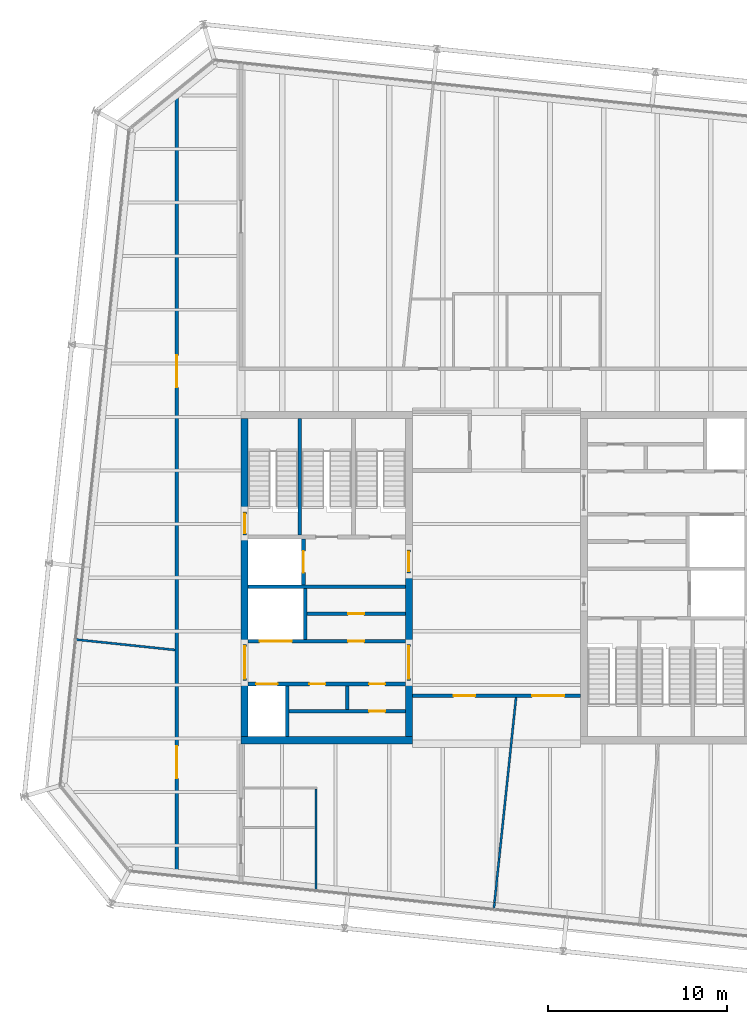
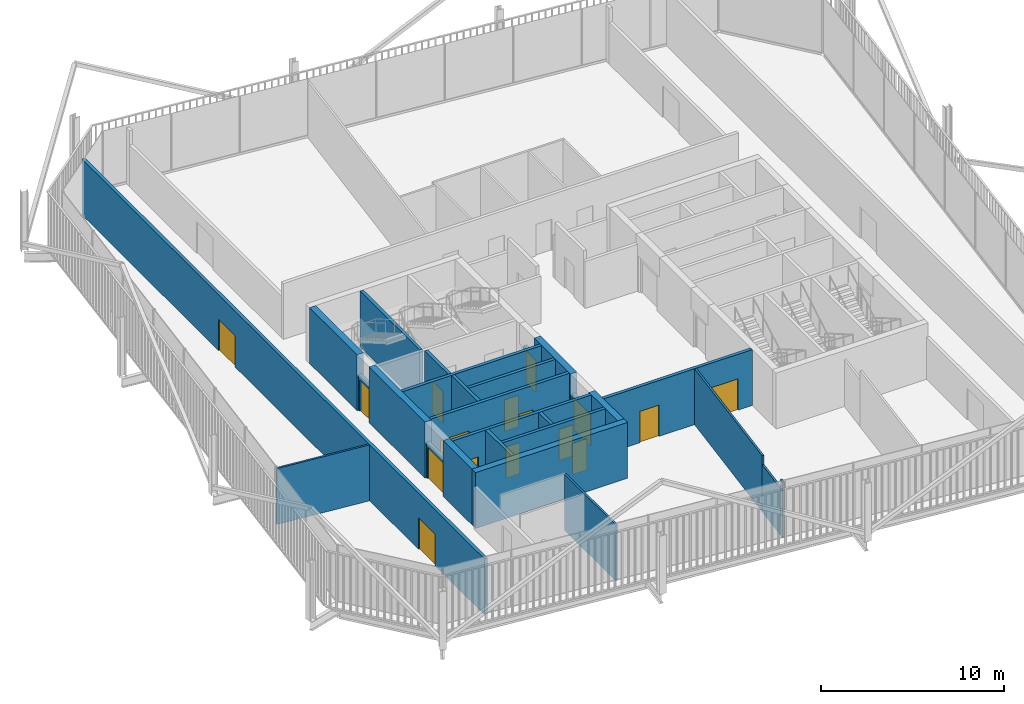
# One storey, part 17 of 21: 27 walls, 16 doors, 16 openings.
"""IFC4 building model written with IfcOpenShell, lengths in metres."""

from ifc_helpers import new_model, si_unit, direction, frame, frame_2d, origin, place, context, subcontext, project, spatial, rectangle, extrude, material, layer, layer_set, type_object, element, fill, save


model = new_model("IFC4")

# Units and contexts
model_context = context("Model", 3, precision=1e-05, world=origin(), true_north=direction((0.0, 1.0)))
body_context = subcontext(model_context, "Body", "Model", "MODEL_VIEW")
ifc_project = project(units=[si_unit("LENGTHUNIT", "METRE"), si_unit("AREAUNIT", "SQUARE_METRE"), si_unit("VOLUMEUNIT", "CUBIC_METRE"), si_unit("PLANEANGLEUNIT", "RADIAN"), si_unit("MASSUNIT", "GRAM", prefix="KILO")], contexts=[model_context])

# Site, building, storey
site_placement = place(None, origin())
site = spatial("IfcSite", under=ifc_project, at=site_placement, CompositionType="ELEMENT")
building_placement = place(site_placement, origin())
building = spatial("IfcBuilding", under=site, at=building_placement, Name="Millrace Tower", CompositionType="ELEMENT")
storey_placement = place(building_placement, frame((0.0, 0.0, 318.699951171875)))
storey = spatial("IfcBuildingStorey", under=building, at=storey_placement, Name="L73", CompositionType="ELEMENT", Elevation=318.699951171875)

# Walls
ifc_material_1 = material(Name="Concrete C60", Category="concrete")
ifc_layer_1 = layer(ifc_material_1, 0.39990234375)
ifc_layer_set_1 = layer_set([ifc_layer_1], Name="Concrete C60")
wall_type_1 = type_object("IfcWallType", Name="Core wall 400 Concrete C60", PredefinedType="SHEAR", material=ifc_layer_set_1)
wall_1_placement = place(storey_placement, frame((-14.300048828125, -9.10009765625, 0.0), z_axis=(0.0, 0.0, 1.0), x_axis=(1.0, 0.0, 0.0)))
element("IfcWall", 1, at=wall_1_placement, inside=storey, type_object=wall_type_1, Name="Core wall W L73", PredefinedType="SHEAR", context=body_context, shape_type="SweptSolid", body=[
    extrude(rectangle(XDim=9.60009765625, YDim=0.39990234375, at=frame_2d((4.800048828125, 0.0))), origin(), (0.0, 0.0, 1.0), 3.739990234375),
])
wall_2_placement = place(storey_placement, frame((-14.10009765625, -8.89990234375, 0.0), z_axis=(0.0, 0.0, 1.0), x_axis=(0.0, 1.0, 0.0)))
element("IfcWall", 2, at=wall_2_placement, inside=storey, type_object=wall_type_1, Name="Core wall W L73", PredefinedType="SHEAR", context=body_context, shape_type="SweptSolid", body=[
    extrude(rectangle(XDim=3.14990234375, YDim=0.39990234375, at=frame_2d((1.574951171875, 0.0))), origin(), (0.0, 0.0, 1.0), 3.739990234375),
])
wall_3_placement = place(storey_placement, frame((-14.10009765625, -3.75, 0.0), z_axis=(0.0, 0.0, 1.0), x_axis=(0.0, 1.0, 0.0)))
element("IfcWall", 3, at=wall_3_placement, inside=storey, type_object=wall_type_1, Name="Core wall W L73", PredefinedType="SHEAR", context=body_context, shape_type="SweptSolid", body=[
    extrude(rectangle(XDim=6.1298828125, YDim=0.39990234375, at=frame_2d((3.06494140625, 0.0))), origin(), (0.0, 0.0, 1.0), 3.739990234375),
])
wall_4_placement = place(storey_placement, frame((-14.10009765625, 3.679931640625, 0.0), z_axis=(0.0, 0.0, 1.0), x_axis=(0.0, 1.0, 0.0)))
element("IfcWall", 4, at=wall_4_placement, inside=storey, type_object=wall_type_1, Name="Core wall W L73", PredefinedType="SHEAR", context=body_context, shape_type="SweptSolid", body=[
    extrude(rectangle(XDim=5.219970703125, YDim=0.39990234375, at=frame_2d((2.60986328125, 0.0))), origin(), (0.0, 0.0, 1.0), 3.739990234375),
])
wall_5_placement = place(storey_placement, frame((-4.89990234375, -8.89990234375, 0.0), z_axis=(0.0, 0.0, 1.0), x_axis=(0.0, 1.0, 0.0)))
element("IfcWall", 5, at=wall_5_placement, inside=storey, type_object=wall_type_1, Name="Core wall W L73", PredefinedType="SHEAR", context=body_context, shape_type="SweptSolid", body=[
    extrude(rectangle(XDim=3.14990234375, YDim=0.39990234375, at=frame_2d((1.574951171875, 0.0))), origin(), (0.0, 0.0, 1.0), 3.739990234375),
])
wall_6_placement = place(storey_placement, frame((-4.89990234375, -3.75, 0.0), z_axis=(0.0, 0.0, 1.0), x_axis=(0.0, 1.0, 0.0)))
element("IfcWall", 6, at=wall_6_placement, inside=storey, type_object=wall_type_1, Name="Core wall W L73", PredefinedType="SHEAR", context=body_context, shape_type="SweptSolid", body=[
    extrude(rectangle(XDim=4.0, YDim=0.39990234375, at=frame_2d((2.0, 0.0))), origin(), (0.0, 0.0, 1.0), 3.739990234375),
])

# Wall, openings, doors
ifc_material_2 = material(Name="Masonry partition, fire-rated", Category="masonry")
ifc_layer_2 = layer(ifc_material_2, 0.199951171875)
ifc_layer_set_2 = layer_set([ifc_layer_2], Name="Masonry partition, fire-rated")
wall_type_2 = type_object("IfcWallType", Name="Corridor wall 200", PredefinedType="PARTITIONING", material=ifc_layer_set_2)
wall_7_placement = place(storey_placement, frame((-4.699951171875, -6.60009765625, 0.0), z_axis=(0.0, 0.0, 1.0), x_axis=(1.0, 0.0, 0.0)))
wall_7 = element("IfcWall", 7, at=wall_7_placement, inside=storey, type_object=wall_type_2, Name="Corridor wall L73", PredefinedType="PARTITIONING", context=body_context, shape_type="SweptSolid", body=[
    extrude(rectangle(XDim=9.39990234375, YDim=0.199951171875, at=frame_2d((4.699951171875, 0.0))), origin(), (0.0, 0.0, 1.0), 3.739990234375),
])
opening_1_placement = place(wall_7_placement, frame((2.304931640625, 0.0, 0.0)))
opening_1 = element("IfcOpeningElement", 8, at=opening_1_placement, cuts=wall_7, Name="Opening 73-P011", PredefinedType="OPENING", context=body_context, shape_type="SweptSolid", body=[
    extrude(rectangle(XDim=1.199951171875, YDim=2.10009765625, at=frame_2d((0.60009765625, 1.050048828125))), frame((0.0, 0.10986328125, 0.0), z_axis=(0.0, -1.0, 0.0), x_axis=(1.0, 0.0, 0.0)), (0.0, 0.0, 1.0), 0.219970703125),
])
opening_2_placement = place(wall_7_placement, frame((6.705078125, 0.0, 0.0)))
opening_2 = element("IfcOpeningElement", 9, at=opening_2_placement, cuts=wall_7, Name="Opening 73-P012", PredefinedType="OPENING", context=body_context, shape_type="SweptSolid", body=[
    extrude(rectangle(XDim=1.800048828125, YDim=2.10009765625, at=frame_2d((0.89990234375, 1.050048828125))), frame((0.0, 0.10986328125, 0.0), z_axis=(0.0, -1.0, 0.0), x_axis=(1.0, 0.0, 0.0)), (0.0, 0.0, 1.0), 0.219970703125),
])
ifc_material_3 = material(Name="Steel door set, fire-rated", Category="steel")
door_type_1 = type_object("IfcDoorType", Name="Corridor door 1200 x 2100", OperationType="SINGLE_SWING_LEFT", PredefinedType="DOOR", material=ifc_material_3)
door_1_placement = place(opening_1_placement, frame((1.199951171875, 0.0, 0.0), z_axis=(0.0, 0.0, 1.0), x_axis=(-1.0, 0.0, 0.0)))
door_1 = element("IfcDoor", 10, at=door_1_placement, inside=storey, type_object=door_type_1, Name="Door 73-P011", OperationType="SINGLE_SWING_RIGHT", OverallHeight=2.10009765625, OverallWidth=1.199951171875, PredefinedType="DOOR", context=body_context, shape_type="SweptSolid", body=[
    extrude(rectangle(XDim=1.199951171875, YDim=2.10009765625, at=frame_2d((0.60009765625, 1.050048828125))), frame((0.0, 0.02490234375, 0.0), z_axis=(0.0, -1.0, 0.0), x_axis=(1.0, 0.0, 0.0)), (0.0, 0.0, 1.0), 0.050048828125),
])
fill(opening_1, door_1)
ifc_material_4 = material(Name="Steel door set, fire-rated", Category="steel")
door_type_2 = type_object("IfcDoorType", Name="Corridor door 1800 x 2100", OperationType="DOUBLE_DOOR_SINGLE_SWING", PredefinedType="DOOR", material=ifc_material_4)
door_2_placement = place(opening_2_placement, frame((1.800048828125, 0.0, 0.0), z_axis=(0.0, 0.0, 1.0), x_axis=(-1.0, 0.0, 0.0)))
door_2 = element("IfcDoor", 11, at=door_2_placement, inside=storey, type_object=door_type_2, Name="Door 73-P012", OperationType="DOUBLE_DOOR_SINGLE_SWING", OverallHeight=2.10009765625, OverallWidth=1.800048828125, PredefinedType="DOOR", context=body_context, shape_type="SweptSolid", body=[
    extrude(rectangle(XDim=1.800048828125, YDim=2.10009765625, at=frame_2d((0.89990234375, 1.050048828125))), frame((0.0, 0.02490234375, 0.0), z_axis=(0.0, -1.0, 0.0), x_axis=(1.0, 0.0, 0.0)), (0.0, 0.0, 1.0), 0.050048828125),
])
fill(opening_2, door_2)

wall_8_placement = place(storey_placement, frame((-17.89990234375, -16.653076171875, 0.0), z_axis=(0.0, 0.0, 1.0), x_axis=(0.0, 1.0, 0.0)))
wall_8 = element("IfcWall", 12, at=wall_8_placement, inside=storey, type_object=wall_type_2, Name="Corridor wall L73", PredefinedType="PARTITIONING", context=body_context, shape_type="SweptSolid", body=[
    extrude(rectangle(XDim=44.071533203125, YDim=0.199951171875, at=frame_2d((22.03564453125, 0.0))), origin(), (0.0, 0.0, 1.0), 3.739990234375),
])
opening_3_placement = place(wall_8_placement, frame((5.424560546875, 0.0, 0.0)))
opening_3 = element("IfcOpeningElement", 13, at=opening_3_placement, cuts=wall_8, Name="Opening 73-P003", PredefinedType="OPENING", context=body_context, shape_type="SweptSolid", body=[
    extrude(rectangle(XDim=1.800048828125, YDim=2.10009765625, at=frame_2d((0.89990234375, 1.050048828125))), frame((0.0, 0.10986328125, 0.0), z_axis=(0.0, -1.0, 0.0), x_axis=(1.0, 0.0, 0.0)), (0.0, 0.0, 1.0), 0.219970703125),
])
opening_4_placement = place(wall_8_placement, frame((27.302978515625, 0.0, 0.0)))
opening_4 = element("IfcOpeningElement", 14, at=opening_4_placement, cuts=wall_8, Name="Opening 73-P004", PredefinedType="OPENING", context=body_context, shape_type="SweptSolid", body=[
    extrude(rectangle(XDim=1.800048828125, YDim=2.10009765625, at=frame_2d((0.89990234375, 1.050048828125))), frame((0.0, 0.10986328125, 0.0), z_axis=(0.0, -1.0, 0.0), x_axis=(1.0, 0.0, 0.0)), (0.0, 0.0, 1.0), 0.219970703125),
])
door_3_placement = place(opening_3_placement, origin())
door_3 = element("IfcDoor", 15, at=door_3_placement, inside=storey, type_object=door_type_2, Name="Door 73-P003", OperationType="DOUBLE_DOOR_SINGLE_SWING", OverallHeight=2.10009765625, OverallWidth=1.800048828125, PredefinedType="DOOR", context=body_context, shape_type="SweptSolid", body=[
    extrude(rectangle(XDim=1.800048828125, YDim=2.10009765625, at=frame_2d((0.89990234375, 1.050048828125))), frame((0.0, 0.02490234375, 0.0), z_axis=(0.0, -1.0, 0.0), x_axis=(1.0, 0.0, 0.0)), (0.0, 0.0, 1.0), 0.050048828125),
])
fill(opening_3, door_3)
door_4_placement = place(opening_4_placement, origin())
door_4 = element("IfcDoor", 16, at=door_4_placement, inside=storey, type_object=door_type_2, Name="Door 73-P004", OperationType="DOUBLE_DOOR_SINGLE_SWING", OverallHeight=2.10009765625, OverallWidth=1.800048828125, PredefinedType="DOOR", context=body_context, shape_type="SweptSolid", body=[
    extrude(rectangle(XDim=1.800048828125, YDim=2.10009765625, at=frame_2d((0.89990234375, 1.050048828125))), frame((0.0, 0.02490234375, 0.0), z_axis=(0.0, -1.0, 0.0), x_axis=(1.0, 0.0, 0.0)), (0.0, 0.0, 1.0), 0.050048828125),
])
fill(opening_4, door_4)

ifc_material_5 = material(Name="Masonry partition, fire-rated", Category="masonry")
ifc_layer_3 = layer(ifc_material_5, 0.199951171875)
ifc_layer_set_3 = layer_set([ifc_layer_3], Name="Masonry partition, fire-rated")
wall_type_3 = type_object("IfcWallType", Name="Lift shaft wall 200", PredefinedType="PARTITIONING", material=ifc_layer_set_3)
wall_9_placement = place(storey_placement, frame((-13.89990234375, -5.949951171875, 0.0), z_axis=(0.0, 0.0, 1.0), x_axis=(1.0, 0.0, 0.0)))
wall_9 = element("IfcWall", 17, at=wall_9_placement, inside=storey, type_object=wall_type_3, Name="Lift shaft wall W L73", PredefinedType="PARTITIONING", context=body_context, shape_type="SweptSolid", body=[
    extrude(rectangle(XDim=8.7998046875, YDim=0.199951171875, at=frame_2d((4.39990234375, 0.0))), origin(), (0.0, 0.0, 1.0), 3.739990234375),
])
opening_5_placement = place(wall_9_placement, frame((0.449951171875, 0.0, 0.0)))
opening_5 = element("IfcOpeningElement", 18, at=opening_5_placement, cuts=wall_9, Name="Opening 73-LD01", PredefinedType="OPENING", context=body_context, shape_type="SweptSolid", body=[
    extrude(rectangle(XDim=1.199951171875, YDim=2.10009765625, at=frame_2d((0.60009765625, 1.050048828125))), frame((0.0, 0.10986328125, 0.0), z_axis=(0.0, -1.0, 0.0), x_axis=(1.0, 0.0, 0.0)), (0.0, 0.0, 1.0), 0.219970703125),
])
opening_6_placement = place(wall_9_placement, frame((3.425048828125, 0.0, 0.0)))
opening_6 = element("IfcOpeningElement", 19, at=opening_6_placement, cuts=wall_9, Name="Opening 73-C005", PredefinedType="OPENING", context=body_context, shape_type="SweptSolid", body=[
    extrude(rectangle(XDim=0.89990234375, YDim=2.10009765625, at=frame_2d((0.449951171875, 1.050048828125))), frame((0.0, 0.10986328125, 0.0), z_axis=(0.0, -1.0, 0.0), x_axis=(1.0, 0.0, 0.0)), (0.0, 0.0, 1.0), 0.219970703125),
])
opening_7_placement = place(wall_9_placement, frame((6.77490234375, 0.0, 0.0)))
opening_7 = element("IfcOpeningElement", 20, at=opening_7_placement, cuts=wall_9, Name="Opening 73-C006", PredefinedType="OPENING", context=body_context, shape_type="SweptSolid", body=[
    extrude(rectangle(XDim=0.89990234375, YDim=2.10009765625, at=frame_2d((0.449951171875, 1.050048828125))), frame((0.0, 0.10986328125, 0.0), z_axis=(0.0, -1.0, 0.0), x_axis=(1.0, 0.0, 0.0)), (0.0, 0.0, 1.0), 0.219970703125),
])
ifc_material_6 = material(Name="Stainless steel, fire-rated", Category="steel")
door_type_3 = type_object("IfcDoorType", Name="Lift landing door 1200 x 2100", OperationType="DOUBLE_DOOR_SLIDING", PredefinedType="DOOR", material=ifc_material_6)
door_5_placement = place(opening_5_placement, origin())
door_5 = element("IfcDoor", 21, at=door_5_placement, inside=storey, type_object=door_type_3, Name="Lift landing door LF1 L73", OperationType="DOUBLE_DOOR_SLIDING", OverallHeight=2.10009765625, OverallWidth=1.199951171875, PredefinedType="DOOR", context=body_context, shape_type="SweptSolid", body=[
    extrude(rectangle(XDim=1.199951171875, YDim=2.10009765625, at=frame_2d((0.60009765625, 1.050048828125))), frame((0.0, 0.02490234375, 0.0), z_axis=(0.0, -1.0, 0.0), x_axis=(1.0, 0.0, 0.0)), (0.0, 0.0, 1.0), 0.050048828125),
])
fill(opening_5, door_5)
ifc_material_7 = material(Name="Steel door, fire-rated", Category="steel")
door_type_4 = type_object("IfcDoorType", Name="Service room door 900 x 2100", OperationType="SINGLE_SWING_LEFT", PredefinedType="DOOR", material=ifc_material_7)
door_6_placement = place(opening_6_placement, origin())
door_6 = element("IfcDoor", 22, at=door_6_placement, inside=storey, type_object=door_type_4, Name="Service room door 73-C005", OperationType="SINGLE_SWING_LEFT", OverallHeight=2.10009765625, OverallWidth=0.89990234375, PredefinedType="DOOR", context=body_context, shape_type="SweptSolid", body=[
    extrude(rectangle(XDim=0.89990234375, YDim=2.10009765625, at=frame_2d((0.449951171875, 1.050048828125))), frame((0.0, 0.02490234375, 0.0), z_axis=(0.0, -1.0, 0.0), x_axis=(1.0, 0.0, 0.0)), (0.0, 0.0, 1.0), 0.050048828125),
])
fill(opening_6, door_6)
door_7_placement = place(opening_7_placement, origin())
door_7 = element("IfcDoor", 23, at=door_7_placement, inside=storey, type_object=door_type_4, Name="Service room door 73-C006", OperationType="SINGLE_SWING_RIGHT", OverallHeight=2.10009765625, OverallWidth=0.89990234375, PredefinedType="DOOR", context=body_context, shape_type="SweptSolid", body=[
    extrude(rectangle(XDim=0.89990234375, YDim=2.10009765625, at=frame_2d((0.449951171875, 1.050048828125))), frame((0.0, 0.02490234375, 0.0), z_axis=(0.0, -1.0, 0.0), x_axis=(1.0, 0.0, 0.0)), (0.0, 0.0, 1.0), 0.050048828125),
])
fill(opening_7, door_7)

wall_10_placement = place(storey_placement, frame((-13.89990234375, -3.550048828125, 0.0), z_axis=(0.0, 0.0, 1.0), x_axis=(1.0, 0.0, 0.0)))
wall_10 = element("IfcWall", 24, at=wall_10_placement, inside=storey, type_object=wall_type_3, Name="Lift shaft wall W L73", PredefinedType="PARTITIONING", context=body_context, shape_type="SweptSolid", body=[
    extrude(rectangle(XDim=8.7998046875, YDim=0.199951171875, at=frame_2d((4.39990234375, 0.0))), origin(), (0.0, 0.0, 1.0), 3.739990234375),
])
opening_8_placement = place(wall_10_placement, frame((0.64990234375, 0.0, 0.0)))
opening_8 = element("IfcOpeningElement", 25, at=opening_8_placement, cuts=wall_10, Name="Opening 73-LD05", PredefinedType="OPENING", context=body_context, shape_type="SweptSolid", body=[
    extrude(rectangle(XDim=1.800048828125, YDim=2.10009765625, at=frame_2d((0.89990234375, 1.050048828125))), frame((0.0, 0.10986328125, 0.0), z_axis=(0.0, -1.0, 0.0), x_axis=(1.0, 0.0, 0.0)), (0.0, 0.0, 1.0), 0.219970703125),
])
opening_9_placement = place(wall_10_placement, frame((5.60009765625, 0.0, 0.0)))
opening_9 = element("IfcOpeningElement", 26, at=opening_9_placement, cuts=wall_10, Name="Opening 73-C008", PredefinedType="OPENING", context=body_context, shape_type="SweptSolid", body=[
    extrude(rectangle(XDim=0.89990234375, YDim=2.10009765625, at=frame_2d((0.449951171875, 1.050048828125))), frame((0.0, 0.10986328125, 0.0), z_axis=(0.0, -1.0, 0.0), x_axis=(1.0, 0.0, 0.0)), (0.0, 0.0, 1.0), 0.219970703125),
])
ifc_material_8 = material(Name="Stainless steel, fire-rated", Category="steel")
door_type_5 = type_object("IfcDoorType", Name="Lift landing door 1800 x 2100", OperationType="DOUBLE_DOOR_SLIDING", PredefinedType="DOOR", material=ifc_material_8)
door_8_placement = place(opening_8_placement, origin())
door_8 = element("IfcDoor", 27, at=door_8_placement, inside=storey, type_object=door_type_5, Name="Lift landing door LF5 L73", OperationType="DOUBLE_DOOR_SLIDING", OverallHeight=2.10009765625, OverallWidth=1.800048828125, PredefinedType="DOOR", context=body_context, shape_type="SweptSolid", body=[
    extrude(rectangle(XDim=1.800048828125, YDim=2.10009765625, at=frame_2d((0.89990234375, 1.050048828125))), frame((0.0, 0.02490234375, 0.0), z_axis=(0.0, -1.0, 0.0), x_axis=(1.0, 0.0, 0.0)), (0.0, 0.0, 1.0), 0.050048828125),
])
fill(opening_8, door_8)
door_9_placement = place(opening_9_placement, frame((0.89990234375, 0.0, 0.0), z_axis=(0.0, 0.0, 1.0), x_axis=(-1.0, 0.0, 0.0)))
door_9 = element("IfcDoor", 28, at=door_9_placement, inside=storey, type_object=door_type_4, Name="Service room door 73-C008", OperationType="SINGLE_SWING_LEFT", OverallHeight=2.10009765625, OverallWidth=0.89990234375, PredefinedType="DOOR", context=body_context, shape_type="SweptSolid", body=[
    extrude(rectangle(XDim=0.89990234375, YDim=2.10009765625, at=frame_2d((0.449951171875, 1.050048828125))), frame((0.0, 0.02490234375, 0.0), z_axis=(0.0, -1.0, 0.0), x_axis=(1.0, 0.0, 0.0)), (0.0, 0.0, 1.0), 0.050048828125),
])
fill(opening_9, door_9)

# Wall
wall_11_placement = place(storey_placement, frame((-13.89990234375, -0.5, 0.0), z_axis=(0.0, 0.0, 1.0), x_axis=(1.0, 0.0, 0.0)))
element("IfcWall", 29, at=wall_11_placement, inside=storey, type_object=wall_type_3, Name="Lift shaft wall W L73", PredefinedType="PARTITIONING", context=body_context, shape_type="SweptSolid", body=[
    extrude(rectangle(XDim=8.7998046875, YDim=0.199951171875, at=frame_2d((4.39990234375, 0.0))), origin(), (0.0, 0.0, 1.0), 3.739990234375),
])

# Wall, opening, door
wall_12_placement = place(storey_placement, frame((-10.800048828125, -0.39990234375, 0.0), z_axis=(0.0, 0.0, 1.0), x_axis=(0.0, 1.0, 0.0)))
wall_12 = element("IfcWall", 30, at=wall_12_placement, inside=storey, type_object=wall_type_3, Name="Lift shaft wall W L73", PredefinedType="PARTITIONING", context=body_context, shape_type="SweptSolid", body=[
    extrude(rectangle(XDim=2.579833984375, YDim=0.199951171875, at=frame_2d((1.2900390625, 0.0))), origin(), (0.0, 0.0, 1.0), 3.739990234375),
])
opening_10_placement = place(wall_12_placement, frame((0.68994140625, 0.0, 0.0)))
opening_10 = element("IfcOpeningElement", 31, at=opening_10_placement, cuts=wall_12, Name="Opening 73-LD08", PredefinedType="OPENING", context=body_context, shape_type="SweptSolid", body=[
    extrude(rectangle(XDim=1.199951171875, YDim=2.10009765625, at=frame_2d((0.60009765625, 1.050048828125))), frame((0.0, 0.10986328125, 0.0), z_axis=(0.0, -1.0, 0.0), x_axis=(1.0, 0.0, 0.0)), (0.0, 0.0, 1.0), 0.219970703125),
])
door_10_placement = place(opening_10_placement, origin())
door_10 = element("IfcDoor", 32, at=door_10_placement, inside=storey, type_object=door_type_3, Name="Lift landing door LF8 L73", OperationType="DOUBLE_DOOR_SLIDING", OverallHeight=2.10009765625, OverallWidth=1.199951171875, PredefinedType="DOOR", context=body_context, shape_type="SweptSolid", body=[
    extrude(rectangle(XDim=1.199951171875, YDim=2.10009765625, at=frame_2d((0.60009765625, 1.050048828125))), frame((0.0, 0.02490234375, 0.0), z_axis=(0.0, -1.0, 0.0), x_axis=(1.0, 0.0, 0.0)), (0.0, 0.0, 1.0), 0.050048828125),
])
fill(opening_10, door_10)

# Walls
for number, where, z_axis, x_axis, name in (
    (33, (-11.699951171875, -8.89990234375, 0.0), (0.0, 0.0, 1.0), (0.0, 1.0, 0.0), "Lift shaft wall W L73"),
    (34, (-10.699951171875, -3.449951171875, 0.0), (0.0, 0.0, 1.0), (0.0, 1.0, 0.0), "Lift shaft wall W L73"),
):
    element("IfcWall", number, at=place(storey_placement, frame(where, z_axis=z_axis, x_axis=x_axis)), inside=storey, type_object=wall_type_3, Name=name, PredefinedType="PARTITIONING", context=body_context, shape_type="SweptSolid", body=[
        extrude(rectangle(XDim=2.849853515625, YDim=0.199951171875, at=frame_2d((1.4248046875, 0.0))), origin(), (0.0, 0.0, 1.0), 3.739990234375),
    ])

# Wall, opening, door
ifc_material_9 = material(Name="Masonry partition, fire-rated", Category="masonry")
ifc_layer_4 = layer(ifc_material_9, 0.199951171875)
ifc_layer_set_4 = layer_set([ifc_layer_4], Name="Masonry partition, fire-rated")
wall_type_4 = type_object("IfcWallType", Name="Lobby wall 200", PredefinedType="PARTITIONING", material=ifc_layer_set_4)
wall_13_placement = place(storey_placement, frame((-14.10009765625, -5.75, 0.0), z_axis=(0.0, 0.0, 1.0), x_axis=(0.0, 1.0, 0.0)))
wall_13 = element("IfcWall", 35, at=wall_13_placement, inside=storey, type_object=wall_type_4, Name="Lobby wall W L73", PredefinedType="PARTITIONING", context=body_context, shape_type="SweptSolid", body=[
    extrude(rectangle(XDim=2.0, YDim=0.199951171875, at=frame_2d((1.0, 0.0))), origin(), (0.0, 0.0, 1.0), 2.400146484375),
])
opening_11_placement = place(wall_13_placement, frame((0.10009765625, 0.0, 0.0)))
opening_11 = element("IfcOpeningElement", 36, at=opening_11_placement, cuts=wall_13, Name="Opening 73-C001", PredefinedType="OPENING", context=body_context, shape_type="SweptSolid", body=[
    extrude(rectangle(XDim=1.800048828125, YDim=2.10009765625, at=frame_2d((0.89990234375, 1.050048828125))), frame((0.0, 0.10986328125, 0.0), z_axis=(0.0, -1.0, 0.0), x_axis=(1.0, 0.0, 0.0)), (0.0, 0.0, 1.0), 0.219970703125),
])
ifc_material_10 = material(Name="Steel door, fire-rated", Category="steel")
door_type_6 = type_object("IfcDoorType", Name="Lobby door 1800 x 2100", OperationType="DOUBLE_DOOR_SINGLE_SWING", PredefinedType="DOOR", material=ifc_material_10)
door_11_placement = place(opening_11_placement, origin())
door_11 = element("IfcDoor", 37, at=door_11_placement, inside=storey, type_object=door_type_6, Name="Lobby door 73-C001", OperationType="DOUBLE_DOOR_SINGLE_SWING", OverallHeight=2.10009765625, OverallWidth=1.800048828125, PredefinedType="DOOR", context=body_context, shape_type="SweptSolid", body=[
    extrude(rectangle(XDim=1.800048828125, YDim=2.10009765625, at=frame_2d((0.89990234375, 1.050048828125))), frame((0.0, 0.02490234375, 0.0), z_axis=(0.0, -1.0, 0.0), x_axis=(1.0, 0.0, 0.0)), (0.0, 0.0, 1.0), 0.050048828125),
])
fill(opening_11, door_11)

wall_14_placement = place(storey_placement, frame((-4.89990234375, -5.75, 0.0), z_axis=(0.0, 0.0, 1.0), x_axis=(0.0, 1.0, 0.0)))
wall_14 = element("IfcWall", 38, at=wall_14_placement, inside=storey, type_object=wall_type_4, Name="Lobby wall W L73", PredefinedType="PARTITIONING", context=body_context, shape_type="SweptSolid", body=[
    extrude(rectangle(XDim=2.0, YDim=0.199951171875, at=frame_2d((1.0, 0.0))), origin(), (0.0, 0.0, 1.0), 2.400146484375),
])
opening_12_placement = place(wall_14_placement, frame((0.10009765625, 0.0, 0.0)))
opening_12 = element("IfcOpeningElement", 39, at=opening_12_placement, cuts=wall_14, Name="Opening 73-C003", PredefinedType="OPENING", context=body_context, shape_type="SweptSolid", body=[
    extrude(rectangle(XDim=1.800048828125, YDim=2.10009765625, at=frame_2d((0.89990234375, 1.050048828125))), frame((0.0, 0.10986328125, 0.0), z_axis=(0.0, -1.0, 0.0), x_axis=(1.0, 0.0, 0.0)), (0.0, 0.0, 1.0), 0.219970703125),
])
door_12_placement = place(opening_12_placement, frame((1.800048828125, 0.0, 0.0), z_axis=(0.0, 0.0, 1.0), x_axis=(-1.0, 0.0, 0.0)))
door_12 = element("IfcDoor", 40, at=door_12_placement, inside=storey, type_object=door_type_6, Name="Lobby door 73-C003", OperationType="DOUBLE_DOOR_SINGLE_SWING", OverallHeight=2.10009765625, OverallWidth=1.800048828125, PredefinedType="DOOR", context=body_context, shape_type="SweptSolid", body=[
    extrude(rectangle(XDim=1.800048828125, YDim=2.10009765625, at=frame_2d((0.89990234375, 1.050048828125))), frame((0.0, 0.02490234375, 0.0), z_axis=(0.0, -1.0, 0.0), x_axis=(1.0, 0.0, 0.0)), (0.0, 0.0, 1.0), 0.050048828125),
])
fill(opening_12, door_12)

wall_15_placement = place(storey_placement, frame((-4.89990234375, 0.25, 0.0), z_axis=(0.0, 0.0, 1.0), x_axis=(0.0, 1.0, 0.0)))
wall_15 = element("IfcWall", 41, at=wall_15_placement, inside=storey, type_object=wall_type_4, Name="Lobby wall W L73", PredefinedType="PARTITIONING", context=body_context, shape_type="SweptSolid", body=[
    extrude(rectangle(XDim=1.300048828125, YDim=0.199951171875, at=frame_2d((0.64990234375, 0.0))), origin(), (0.0, 0.0, 1.0), 2.400146484375),
])
opening_13_placement = place(wall_15_placement, frame((0.10009765625, 0.0, 0.0)))
opening_13 = element("IfcOpeningElement", 42, at=opening_13_placement, cuts=wall_15, Name="Opening 73-C004", PredefinedType="OPENING", context=body_context, shape_type="SweptSolid", body=[
    extrude(rectangle(XDim=1.10009765625, YDim=2.10009765625, at=frame_2d((0.550048828125, 1.050048828125))), frame((0.0, 0.10986328125, 0.0), z_axis=(0.0, -1.0, 0.0), x_axis=(1.0, 0.0, 0.0)), (0.0, 0.0, 1.0), 0.219970703125),
])
ifc_material_11 = material(Name="Steel door, fire-rated", Category="steel")
door_type_7 = type_object("IfcDoorType", Name="Lobby door 1100 x 2100", OperationType="SINGLE_SWING_LEFT", PredefinedType="DOOR", material=ifc_material_11)
door_13_placement = place(opening_13_placement, frame((1.10009765625, 0.0, 0.0), z_axis=(0.0, 0.0, 1.0), x_axis=(-1.0, 0.0, 0.0)))
door_13 = element("IfcDoor", 43, at=door_13_placement, inside=storey, type_object=door_type_7, Name="Lobby door 73-C004", OperationType="SINGLE_SWING_LEFT", OverallHeight=2.10009765625, OverallWidth=1.10009765625, PredefinedType="DOOR", context=body_context, shape_type="SweptSolid", body=[
    extrude(rectangle(XDim=1.10009765625, YDim=2.10009765625, at=frame_2d((0.550048828125, 1.050048828125))), frame((0.0, 0.02490234375, 0.0), z_axis=(0.0, -1.0, 0.0), x_axis=(1.0, 0.0, 0.0)), (0.0, 0.0, 1.0), 0.050048828125),
])
fill(opening_13, door_13)

# Walls
ifc_material_12 = material(Name="Gypsum board partition")
ifc_layer_5 = layer(ifc_material_12, 0.1201171875)
ifc_layer_set_5 = layer_set([ifc_layer_5], Name="Gypsum board partition")
wall_type_5 = type_object("IfcWallType", Name="Partition wall 120", PredefinedType="PARTITIONING", material=ifc_layer_set_5)
wall_16_placement = place(storey_placement, frame((-23.526611328125, -3.462890625, 0.0), z_axis=(0.0, 0.0, 1.0), x_axis=(0.994528537012, -0.104465252927, 0.0)))
element("IfcWall", 44, at=wall_16_placement, inside=storey, type_object=wall_type_5, Name="Partition wall L73", PredefinedType="PARTITIONING", context=body_context, shape_type="SweptSolid", body=[
    extrude(rectangle(XDim=5.5576171875, YDim=0.1201171875, at=frame_2d((2.77880859375, 0.0))), origin(), (0.0, 0.0, 1.0), 3.739990234375),
])
wall_17_placement = place(storey_placement, frame((-0.14208984375, -18.51953125, 0.0), z_axis=(0.0, 0.0, 1.0), x_axis=(0.104219761224, 0.994554292822, 0.0)))
element("IfcWall", 45, at=wall_17_placement, inside=storey, type_object=wall_type_5, Name="Partition wall L73", PredefinedType="PARTITIONING", context=body_context, shape_type="SweptSolid", body=[
    extrude(rectangle(XDim=0.327880859375, YDim=0.1201171875, at=frame_2d((0.1640625, 0.0))), origin(), (0.0, 0.0, 1.0), 3.739990234375),
])
wall_18_placement = place(storey_placement, frame((-0.10791015625, -18.193359375, 0.0), z_axis=(0.0, 0.0, 1.0), x_axis=(0.104462304408, 0.99452884672, 0.0)))
element("IfcWall", 46, at=wall_18_placement, inside=storey, type_object=wall_type_5, Name="Partition wall L73", PredefinedType="PARTITIONING", context=body_context, shape_type="SweptSolid", body=[
    extrude(rectangle(XDim=2.456298828125, YDim=0.1201171875, at=frame_2d((1.22802734375, 0.0))), origin(), (0.0, 0.0, 1.0), 3.140625),
])
wall_19_placement = place(storey_placement, frame((0.148681640625, -15.75048828125, 0.0), z_axis=(0.0, 0.0, 1.0), x_axis=(0.104487885815, 0.994526159393, 0.0)))
element("IfcWall", 47, at=wall_19_placement, inside=storey, type_object=wall_type_5, Name="Partition wall L73", PredefinedType="PARTITIONING", context=body_context, shape_type="SweptSolid", body=[
    extrude(rectangle(XDim=9.100830078125, YDim=0.1201171875, at=frame_2d((4.55029296875, 0.0))), origin(), (0.0, 0.0, 1.0), 3.739990234375),
])
wall_20_placement = place(storey_placement, frame((-10.10009765625, -17.472900390625, 0.0), z_axis=(0.0, 0.0, 1.0), x_axis=(0.0, 1.0, 0.0)))
element("IfcWall", 48, at=wall_20_placement, inside=storey, type_object=wall_type_5, Name="Partition wall L73", PredefinedType="PARTITIONING", context=body_context, shape_type="SweptSolid", body=[
    extrude(rectangle(XDim=5.6318359375, YDim=0.1201171875, at=frame_2d((2.81591796875, 0.0))), origin(), (0.0, 0.0, 1.0), 3.739990234375),
])

# Wall, opening, door
ifc_material_13 = material(Name="Masonry partition, fire-rated", Category="masonry")
ifc_layer_6 = layer(ifc_material_13, 0.199951171875)
ifc_layer_set_6 = layer_set([ifc_layer_6], Name="Masonry partition, fire-rated")
wall_type_6 = type_object("IfcWallType", Name="Room partition 200", PredefinedType="PARTITIONING", material=ifc_layer_set_6)
wall_21_placement = place(storey_placement, frame((-11.60009765625, -7.47509765625, 0.0), z_axis=(0.0, 0.0, 1.0), x_axis=(1.0, 0.0, 0.0)))
wall_21 = element("IfcWall", 49, at=wall_21_placement, inside=storey, type_object=wall_type_6, Name="Room partition W L73", PredefinedType="PARTITIONING", context=body_context, shape_type="SweptSolid", body=[
    extrude(rectangle(XDim=6.5, YDim=0.199951171875, at=frame_2d((3.25, 0.0))), origin(), (0.0, 0.0, 1.0), 3.739990234375),
])
opening_14_placement = place(wall_21_placement, frame((4.47509765625, 0.0, 0.0)))
opening_14 = element("IfcOpeningElement", 50, at=opening_14_placement, cuts=wall_21, Name="Opening 73-C007", PredefinedType="OPENING", context=body_context, shape_type="SweptSolid", body=[
    extrude(rectangle(XDim=0.89990234375, YDim=2.10009765625, at=frame_2d((0.449951171875, 1.050048828125))), frame((0.0, 0.10986328125, 0.0), z_axis=(0.0, -1.0, 0.0), x_axis=(1.0, 0.0, 0.0)), (0.0, 0.0, 1.0), 0.219970703125),
])
door_14_placement = place(opening_14_placement, frame((0.89990234375, 0.0, 0.0), z_axis=(0.0, 0.0, 1.0), x_axis=(-1.0, 0.0, 0.0)))
door_14 = element("IfcDoor", 51, at=door_14_placement, inside=storey, type_object=door_type_4, Name="Service room door 73-C007", OperationType="SINGLE_SWING_LEFT", OverallHeight=2.10009765625, OverallWidth=0.89990234375, PredefinedType="DOOR", context=body_context, shape_type="SweptSolid", body=[
    extrude(rectangle(XDim=0.89990234375, YDim=2.10009765625, at=frame_2d((0.449951171875, 1.050048828125))), frame((0.0, 0.02490234375, 0.0), z_axis=(0.0, -1.0, 0.0), x_axis=(1.0, 0.0, 0.0)), (0.0, 0.0, 1.0), 0.050048828125),
])
fill(opening_14, door_14)

# Wall
wall_22_placement = place(storey_placement, frame((-8.35009765625, -7.375, 0.0), z_axis=(0.0, 0.0, 1.0), x_axis=(0.0, 1.0, 0.0)))
element("IfcWall", 52, at=wall_22_placement, inside=storey, type_object=wall_type_6, Name="Room partition W L73", PredefinedType="PARTITIONING", context=body_context, shape_type="SweptSolid", body=[
    extrude(rectangle(XDim=1.324951171875, YDim=0.199951171875, at=frame_2d((0.66259765625, 0.0))), origin(), (0.0, 0.0, 1.0), 3.739990234375),
])

# Wall, opening, door
wall_23_placement = place(storey_placement, frame((-10.60009765625, -2.02490234375, 0.0), z_axis=(0.0, 0.0, 1.0), x_axis=(1.0, 0.0, 0.0)))
wall_23 = element("IfcWall", 53, at=wall_23_placement, inside=storey, type_object=wall_type_6, Name="Room partition W L73", PredefinedType="PARTITIONING", context=body_context, shape_type="SweptSolid", body=[
    extrude(rectangle(XDim=5.5, YDim=0.199951171875, at=frame_2d((2.75, 0.0))), origin(), (0.0, 0.0, 1.0), 3.739990234375),
])
opening_15_placement = place(wall_23_placement, frame((2.300048828125, 0.0, 0.0)))
opening_15 = element("IfcOpeningElement", 54, at=opening_15_placement, cuts=wall_23, Name="Opening 73-C009", PredefinedType="OPENING", context=body_context, shape_type="SweptSolid", body=[
    extrude(rectangle(XDim=0.89990234375, YDim=2.10009765625, at=frame_2d((0.449951171875, 1.050048828125))), frame((0.0, 0.10986328125, 0.0), z_axis=(0.0, -1.0, 0.0), x_axis=(1.0, 0.0, 0.0)), (0.0, 0.0, 1.0), 0.219970703125),
])
door_15_placement = place(opening_15_placement, origin())
door_15 = element("IfcDoor", 55, at=door_15_placement, inside=storey, type_object=door_type_4, Name="Service room door 73-C009", OperationType="SINGLE_SWING_LEFT", OverallHeight=2.10009765625, OverallWidth=0.89990234375, PredefinedType="DOOR", context=body_context, shape_type="SweptSolid", body=[
    extrude(rectangle(XDim=0.89990234375, YDim=2.10009765625, at=frame_2d((0.449951171875, 1.050048828125))), frame((0.0, 0.02490234375, 0.0), z_axis=(0.0, -1.0, 0.0), x_axis=(1.0, 0.0, 0.0)), (0.0, 0.0, 1.0), 0.050048828125),
])
fill(opening_15, door_15)

ifc_material_14 = material(Name="Concrete C40", Category="concrete")
ifc_layer_7 = layer(ifc_material_14, 0.199951171875)
ifc_layer_set_7 = layer_set([ifc_layer_7], Name="Concrete C40")
wall_type_7 = type_object("IfcWallType", Name="Stair enclosure wall 200 Concrete C40", PredefinedType="SHEAR", material=ifc_layer_set_7)
wall_24_placement = place(storey_placement, frame((-14.10009765625, 2.3798828125, 0.0), z_axis=(0.0, 0.0, 1.0), x_axis=(0.0, 1.0, 0.0)))
wall_24 = element("IfcWall", 56, at=wall_24_placement, inside=storey, type_object=wall_type_7, Name="Stair enclosure wall W L73", PredefinedType="SHEAR", context=body_context, shape_type="SweptSolid", body=[
    extrude(rectangle(XDim=1.300048828125, YDim=0.199951171875, at=frame_2d((0.64990234375, 0.0))), origin(), (0.0, 0.0, 1.0), 2.400146484375),
])
opening_16_placement = place(wall_24_placement, frame((0.10009765625, 0.0, 0.0)))
opening_16 = element("IfcOpeningElement", 57, at=opening_16_placement, cuts=wall_24, Name="Opening 73-C002", PredefinedType="OPENING", context=body_context, shape_type="SweptSolid", body=[
    extrude(rectangle(XDim=1.10009765625, YDim=2.10009765625, at=frame_2d((0.550048828125, 1.050048828125))), frame((0.0, 0.10986328125, 0.0), z_axis=(0.0, -1.0, 0.0), x_axis=(1.0, 0.0, 0.0)), (0.0, 0.0, 1.0), 0.219970703125),
])
ifc_material_15 = material(Name="Steel door, fire-rated", Category="steel")
door_type_8 = type_object("IfcDoorType", Name="Stair door 1100 x 2100", OperationType="SINGLE_SWING_LEFT", PredefinedType="DOOR", material=ifc_material_15)
door_16_placement = place(opening_16_placement, origin())
door_16 = element("IfcDoor", 58, at=door_16_placement, inside=storey, type_object=door_type_8, Name="Stair door 73-C002", OperationType="SINGLE_SWING_LEFT", OverallHeight=2.10009765625, OverallWidth=1.10009765625, PredefinedType="DOOR", context=body_context, shape_type="SweptSolid", body=[
    extrude(rectangle(XDim=1.10009765625, YDim=2.10009765625, at=frame_2d((0.550048828125, 1.050048828125))), frame((0.0, 0.02490234375, 0.0), z_axis=(0.0, -1.0, 0.0), x_axis=(1.0, 0.0, 0.0)), (0.0, 0.0, 1.0), 0.050048828125),
])
fill(opening_16, door_16)

# Wall
wall_25_placement = place(storey_placement, frame((-11.0, 2.3798828125, 0.0), z_axis=(0.0, 0.0, 1.0), x_axis=(0.0, 1.0, 0.0)))
element("IfcWall", 59, at=wall_25_placement, inside=storey, type_object=wall_type_7, Name="Stair enclosure wall W L73", PredefinedType="SHEAR", context=body_context, shape_type="SweptSolid", body=[
    extrude(rectangle(XDim=6.52001953125, YDim=0.199951171875, at=frame_2d((3.260009765625, 0.0))), origin(), (0.0, 0.0, 1.0), 3.739990234375),
])

save(model, "model.ifc")
